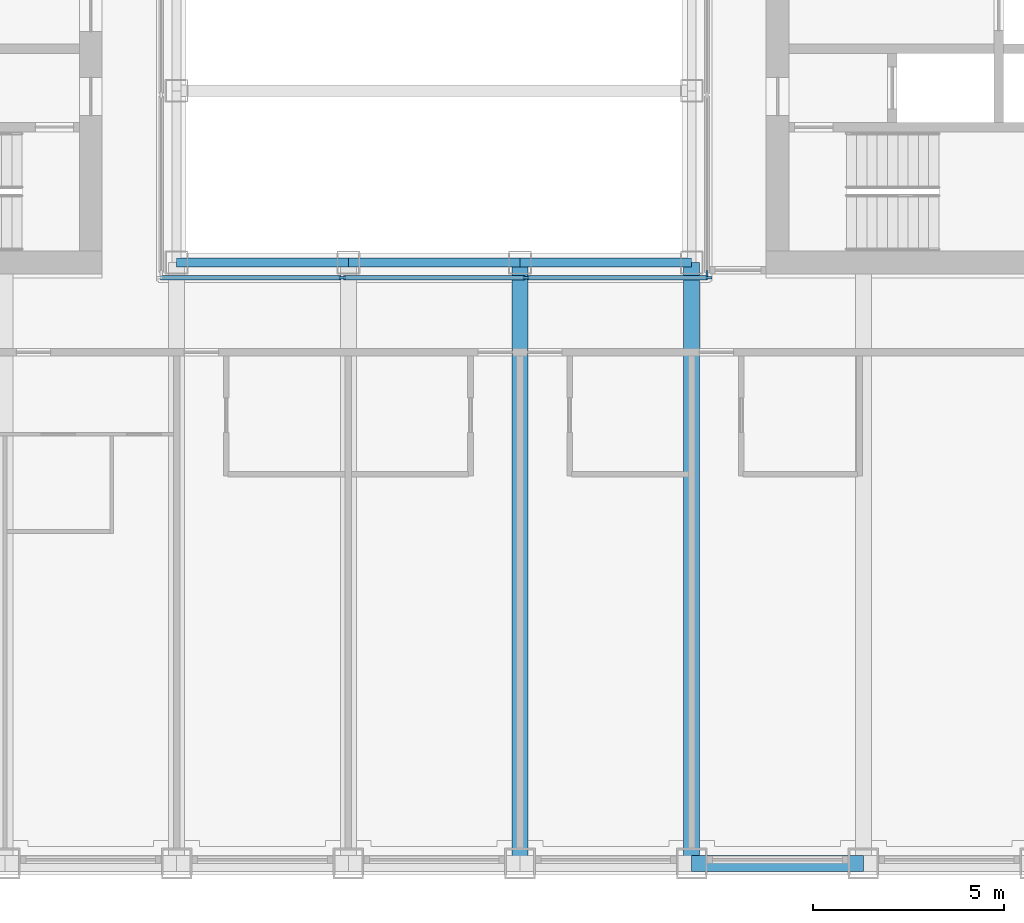
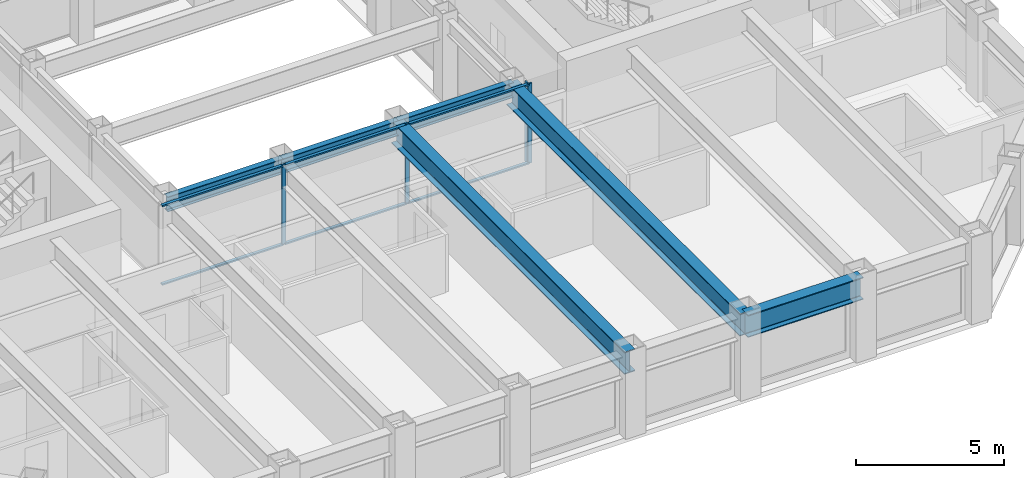
# One storey, part 3 of 18: 10 members, 6 beams, 2 elements without a shape of their own.
"""IFC4 building model written with IfcOpenShell, lengths in metres."""

from ifc_helpers import new_model, si_unit, direction, frame, origin, origin_2d, place, context, subcontext, project, spatial, rectangle, i_section, extrude, material, material_profile, profile_set, type_object, element, aggregate, save


model = new_model("IFC4")

# Units and contexts
model_context = context("Model", 3, precision=1e-05, world=origin(), true_north=direction((0.0, 1.0)))
body_context = subcontext(model_context, "Body", "Model", "MODEL_VIEW")
ifc_project = project(units=[si_unit("LENGTHUNIT", "METRE"), si_unit("AREAUNIT", "SQUARE_METRE"), si_unit("VOLUMEUNIT", "CUBIC_METRE"), si_unit("PLANEANGLEUNIT", "RADIAN"), si_unit("MASSUNIT", "GRAM", prefix="KILO")], contexts=[model_context])

# Site, building, storey
site_placement = place(None, origin())
site = spatial("IfcSite", under=ifc_project, at=site_placement, CompositionType="ELEMENT")
building_placement = place(site_placement, origin())
building = spatial("IfcBuilding", under=site, at=building_placement, Name="Msasa Ring Tower", CompositionType="ELEMENT")
storey_placement = place(building_placement, frame((0.0, 0.0, 186.800048828125)))
storey = spatial("IfcBuildingStorey", under=building, at=storey_placement, Name="L49", CompositionType="ELEMENT", Elevation=186.800048828125)

# Curtain wall, members
ifc_material_1 = material(Name="Aluminium curtain wall with clear glass", Category="aluminium")
curtain_wall_type = type_object("IfcCurtainWallType", Name="CW-W LIGHT WELL CURTAIN WALL", PredefinedType="NOTDEFINED", material=ifc_material_1)
curtain_wall_1_placement = place(storey_placement, origin())
curtain_wall_1 = element("IfcCurtainWall", 1, at=curtain_wall_1_placement, inside=storey, type_object=curtain_wall_type, Name="Light well curtain wall S L49", PredefinedType="NOTDEFINED")
ifc_material_2 = material(Name="Aluminium mullion", Category="aluminium")
ifc_material_profile_1 = material_profile(ifc_material_2, rectangle(XDim=0.06005859375, YDim=0.159912109375, at=origin_2d()), Name="AL 60x160")
ifc_profile_set_1 = profile_set([ifc_material_profile_1], Name="Aluminium mullion")
member_type_1 = type_object("IfcMemberType", Name="CW-W MULLION 60x160", PredefinedType="MULLION", material=ifc_profile_set_1)
member_1_placement = place(storey_placement, frame((-2.409912109375, -7.14990234375, 0.0), z_axis=(0.0, 0.0, 1.0), x_axis=(0.0, 1.0, 0.0)))
member_1 = element("IfcMember", 2, at=member_1_placement, type_object=member_type_1, Name="CW-W mullion 2", PredefinedType="MULLION", context=body_context, shape_type="SweptSolid", body=[
    extrude(rectangle(XDim=0.06005859375, YDim=0.159912109375, at=origin_2d()), origin(), (0.0, 0.0, 1.0), 3.300048828125),
])
member_2_placement = place(storey_placement, frame((2.409912109375, -7.14990234375, 0.0), z_axis=(0.0, 0.0, 1.0), x_axis=(0.0, 1.0, 0.0)))
member_2 = element("IfcMember", 3, at=member_2_placement, type_object=member_type_1, Name="CW-W mullion 3", PredefinedType="MULLION", context=body_context, shape_type="SweptSolid", body=[
    extrude(rectangle(XDim=0.06005859375, YDim=0.159912109375, at=origin_2d()), origin(), (0.0, 0.0, 1.0), 3.300048828125),
])
member_3_placement = place(storey_placement, frame((7.199951171875, -7.14990234375, 0.0), z_axis=(0.0, 0.0, 1.0), x_axis=(0.0, 1.0, 0.0)))
member_3 = element("IfcMember", 4, at=member_3_placement, type_object=member_type_1, Name="CW-W mullion 4", PredefinedType="MULLION", context=body_context, shape_type="SweptSolid", body=[
    extrude(rectangle(XDim=0.06005859375, YDim=0.159912109375, at=origin_2d()), origin(), (0.0, 0.0, 1.0), 3.300048828125),
])

# Curtain wall, member
curtain_wall_2_placement = place(storey_placement, origin())
curtain_wall_2 = element("IfcCurtainWall", 5, at=curtain_wall_2_placement, inside=storey, type_object=curtain_wall_type, Name="Light well curtain wall E L49", PredefinedType="NOTDEFINED")
member_4_placement = place(storey_placement, frame((7.14990234375, -7.0400390625, 0.0), z_axis=(0.0, 0.0, 1.0), x_axis=(-1.0, 0.0, 0.0)))
member_4 = element("IfcMember", 6, at=member_4_placement, type_object=member_type_1, Name="CW-W mullion 1", PredefinedType="MULLION", context=body_context, shape_type="SweptSolid", body=[
    extrude(rectangle(XDim=0.06005859375, YDim=0.159912109375, at=origin_2d()), origin(), (0.0, 0.0, 1.0), 3.300048828125),
])
aggregate(curtain_wall_2, [member_4])

# Member
ifc_material_3 = material(Name="Aluminium transom", Category="aluminium")
ifc_material_profile_2 = material_profile(ifc_material_3, rectangle(XDim=0.1201171875, YDim=0.06005859375, at=origin_2d()), Name="AL 60x120")
ifc_profile_set_2 = profile_set([ifc_material_profile_2], Name="Aluminium transom")
member_type_2 = type_object("IfcMemberType", Name="CW-W TRANSOM 60x120", PredefinedType="USERDEFINED", material=ifc_profile_set_2)
member_5_placement = place(storey_placement, frame((-7.169921875, -7.14990234375, 0.030029296875), z_axis=(1.0, 0.0, 0.0), x_axis=(0.0, 1.0, 0.0)))
member_5 = element("IfcMember", 7, at=member_5_placement, type_object=member_type_2, Name="CW-W transom 1.1", ObjectType="TRANSOM", PredefinedType="USERDEFINED", context=body_context, shape_type="SweptSolid", body=[
    extrude(rectangle(XDim=0.1201171875, YDim=0.06005859375, at=origin_2d()), origin(), (0.0, 0.0, 1.0), 4.72998046875),
])

member_6_placement = place(storey_placement, frame((-7.169921875, -7.14990234375, 3.27001953125), z_axis=(1.0, 0.0, 0.0), x_axis=(0.0, 1.0, 0.0)))
member_6 = element("IfcMember", 8, at=member_6_placement, type_object=member_type_2, Name="CW-W transom 1.2", ObjectType="TRANSOM", PredefinedType="USERDEFINED", context=body_context, shape_type="SweptSolid", body=[
    extrude(rectangle(XDim=0.1201171875, YDim=0.06005859375, at=origin_2d()), origin(), (0.0, 0.0, 1.0), 4.72998046875),
])

member_7_placement = place(storey_placement, frame((-2.3798828125, -7.14990234375, 0.030029296875), z_axis=(1.0, 0.0, 0.0), x_axis=(0.0, 1.0, 0.0)))
member_7 = element("IfcMember", 9, at=member_7_placement, type_object=member_type_2, Name="CW-W transom 2.1", ObjectType="TRANSOM", PredefinedType="USERDEFINED", context=body_context, shape_type="SweptSolid", body=[
    extrude(rectangle(XDim=0.1201171875, YDim=0.06005859375, at=origin_2d()), origin(), (0.0, 0.0, 1.0), 4.759765625),
])

member_8_placement = place(storey_placement, frame((-2.3798828125, -7.14990234375, 3.27001953125), z_axis=(1.0, 0.0, 0.0), x_axis=(0.0, 1.0, 0.0)))
member_8 = element("IfcMember", 10, at=member_8_placement, type_object=member_type_2, Name="CW-W transom 2.2", ObjectType="TRANSOM", PredefinedType="USERDEFINED", context=body_context, shape_type="SweptSolid", body=[
    extrude(rectangle(XDim=0.1201171875, YDim=0.06005859375, at=origin_2d()), origin(), (0.0, 0.0, 1.0), 4.759765625),
])

member_9_placement = place(storey_placement, frame((2.43994140625, -7.14990234375, 0.030029296875), z_axis=(1.0, 0.0, 0.0), x_axis=(0.0, 1.0, 0.0)))
member_9 = element("IfcMember", 11, at=member_9_placement, type_object=member_type_2, Name="CW-W transom 3.1", ObjectType="TRANSOM", PredefinedType="USERDEFINED", context=body_context, shape_type="SweptSolid", body=[
    extrude(rectangle(XDim=0.1201171875, YDim=0.06005859375, at=origin_2d()), origin(), (0.0, 0.0, 1.0), 4.72998046875),
])

member_10_placement = place(storey_placement, frame((2.43994140625, -7.14990234375, 3.27001953125), z_axis=(1.0, 0.0, 0.0), x_axis=(0.0, 1.0, 0.0)))
member_10 = element("IfcMember", 12, at=member_10_placement, type_object=member_type_2, Name="CW-W transom 3.2", ObjectType="TRANSOM", PredefinedType="USERDEFINED", context=body_context, shape_type="SweptSolid", body=[
    extrude(rectangle(XDim=0.1201171875, YDim=0.06005859375, at=origin_2d()), origin(), (0.0, 0.0, 1.0), 4.72998046875),
])

aggregate(curtain_wall_1, [member_1, member_2, member_3, member_5, member_6, member_7, member_8, member_9, member_10])

# Beams
ifc_material_4 = material(Name="Steel S355", Category="steel")
ifc_material_profile_3 = material_profile(ifc_material_4, i_section(OverallWidth=0.42041015625, OverallDepth=0.9208984375, WebThickness=0.021484375, FlangeThickness=0.03662109375, FilletRadius=0.024169921875, at=origin_2d()), Name="UB 914x419x388")
ifc_profile_set_3 = profile_set([ifc_material_profile_3], Name="Steel S355")
beam_type_1 = type_object("IfcBeamType", Name="FB2 UB 914x419x388", PredefinedType="BEAM", material=ifc_profile_set_3)
for number, where, z_axis, x_axis, name in (
    (13, (2.25, -22.5, 2.83935546875), (0.0, 1.0, 0.0), (-1.0, 0.0, 0.0), "Floor beam S+2.25 under L50"),
    (14, (6.75, -22.5, 2.83935546875), (0.0, 1.0, 0.0), (-1.0, 0.0, 0.0), "Floor beam S+6.75 under L50"),
):
    element("IfcBeam", number, at=place(storey_placement, frame(where, z_axis=z_axis, x_axis=x_axis)), inside=storey, type_object=beam_type_1, Name=name, PredefinedType="BEAM", context=body_context, shape_type="SweptSolid", body=[
        extrude(i_section(OverallWidth=0.42041015625, OverallDepth=0.9208984375, WebThickness=0.021484375, FlangeThickness=0.03662109375, FilletRadius=0.024169921875, at=origin_2d()), origin(), (0.0, 0.0, 1.0), 15.75),
    ])
ifc_material_5 = material(Name="Steel S355", Category="steel")
ifc_material_profile_4 = material_profile(ifc_material_5, i_section(OverallWidth=0.230224609375, OverallDepth=0.6171875, WebThickness=0.01318359375, FlangeThickness=0.022216796875, FilletRadius=0.0126953125, at=origin_2d()), Name="UB 610x229x140")
ifc_profile_set_4 = profile_set([ifc_material_profile_4], Name="Steel S355")
beam_type_2 = type_object("IfcBeamType", Name="RB1 UB 610x229x140", PredefinedType="BEAM", material=ifc_profile_set_4)
for number, where, z_axis, x_axis, name in (
    (15, (-6.75, -6.75, 2.991455078125), (1.0, 0.0, 0.0), (0.0, 1.0, 0.0), "Inner ring beam IR-6.75-6.75 under L50"),
    (16, (-2.25, -6.75, 2.991455078125), (1.0, 0.0, 0.0), (0.0, 1.0, 0.0), "Inner ring beam IR-2.25-6.75 under L50"),
    (17, (2.25, -6.75, 2.991455078125), (1.0, 0.0, 0.0), (0.0, 1.0, 0.0), "Inner ring beam IR+2.25-6.75 under L50"),
):
    element("IfcBeam", number, at=place(storey_placement, frame(where, z_axis=z_axis, x_axis=x_axis)), inside=storey, type_object=beam_type_2, Name=name, PredefinedType="BEAM", context=body_context, shape_type="SweptSolid", body=[
        extrude(i_section(OverallWidth=0.230224609375, OverallDepth=0.6171875, WebThickness=0.01318359375, FlangeThickness=0.022216796875, FilletRadius=0.0126953125, at=origin_2d()), origin(), (0.0, 0.0, 1.0), 4.5),
    ])
ifc_material_6 = material(Name="Steel S355", Category="steel")
ifc_material_profile_5 = material_profile(ifc_material_6, i_section(OverallWidth=0.42041015625, OverallDepth=0.9208984375, WebThickness=0.021484375, FlangeThickness=0.03662109375, FilletRadius=0.024169921875, at=origin_2d()), Name="UB 914x419x388")
ifc_profile_set_5 = profile_set([ifc_material_profile_5], Name="Steel S355")
beam_type_3 = type_object("IfcBeamType", Name="SB1 UB 914x419x388", PredefinedType="SPANDREL", material=ifc_profile_set_5)
beam_placement = place(storey_placement, frame((6.75, -22.5, 2.83935546875), z_axis=(1.0, 0.0, 0.0), x_axis=(0.0, 1.0, 0.0)))
element("IfcBeam", 18, at=beam_placement, inside=storey, type_object=beam_type_3, Name="Spandrel S+6.75 to S+11.25 under L50", PredefinedType="SPANDREL", context=body_context, shape_type="SweptSolid", body=[
    extrude(i_section(OverallWidth=0.42041015625, OverallDepth=0.9208984375, WebThickness=0.021484375, FlangeThickness=0.03662109375, FilletRadius=0.024169921875, at=origin_2d()), origin(), (0.0, 0.0, 1.0), 4.5),
])

save(model, "model.ifc")
